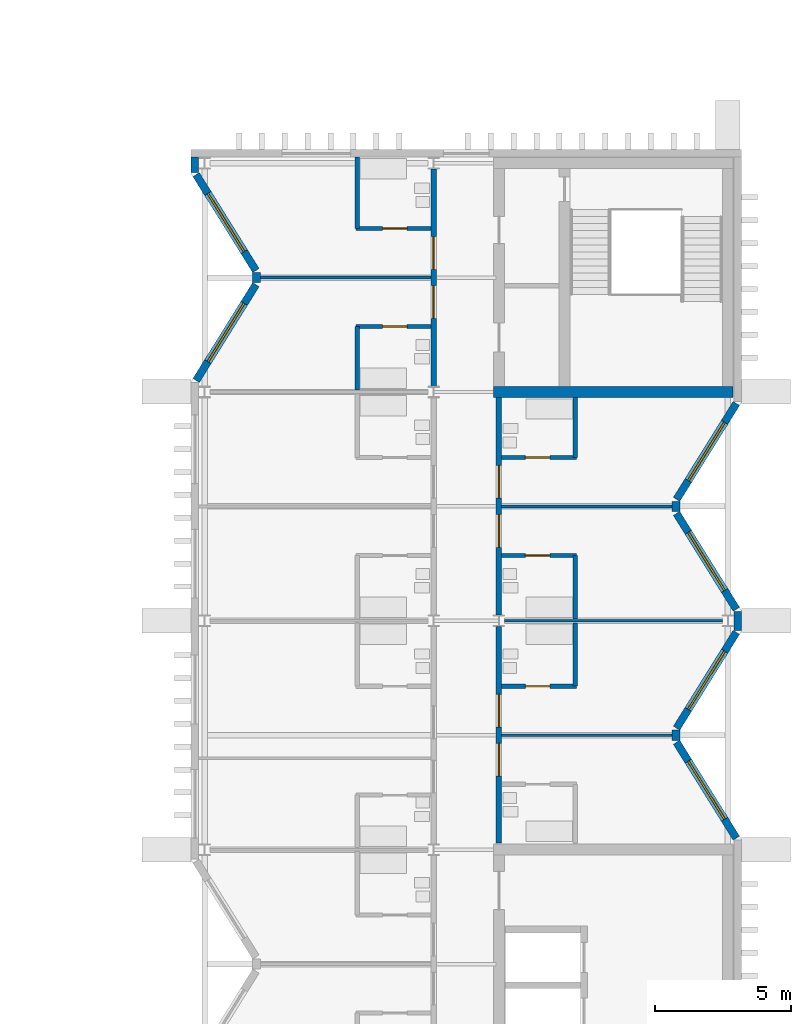
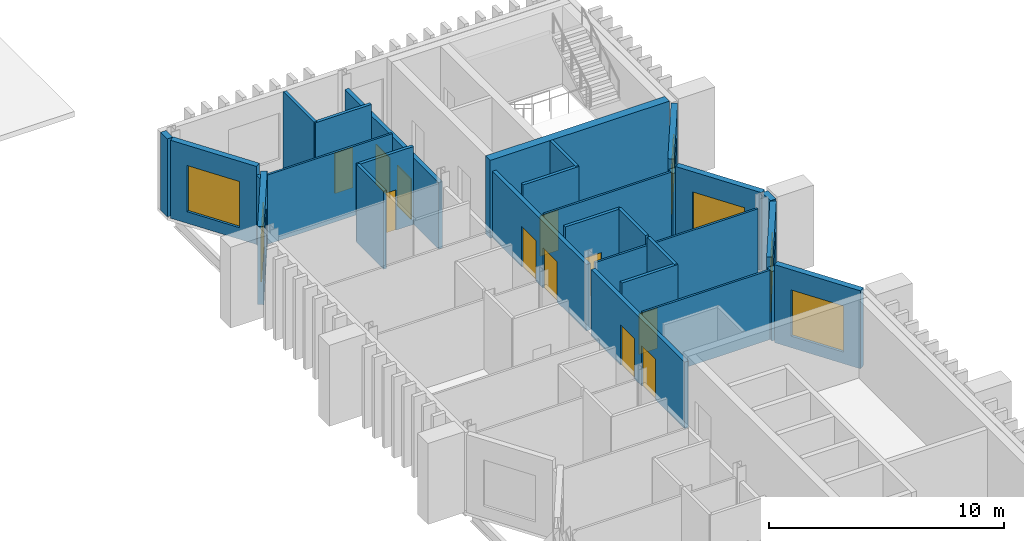
# One storey, part 69 of 88: 29 walls, 11 doors, 6 windows, 17 openings.
"""IFC4 building model written with IfcOpenShell, lengths in metres."""

from ifc_helpers import new_model, si_unit, direction, frame, frame_2d, origin, place, context, subcontext, project, spatial, rectangle, extrude, material, layer, layer_set, type_object, element, fill, save


model = new_model("IFC4")

# Units and contexts
model_context = context("Model", 3, precision=1e-05, world=origin(), true_north=direction((0.0, 1.0)))
body_context = subcontext(model_context, "Body", "Model", "MODEL_VIEW")
ifc_project = project(units=[si_unit("LENGTHUNIT", "METRE"), si_unit("AREAUNIT", "SQUARE_METRE"), si_unit("VOLUMEUNIT", "CUBIC_METRE"), si_unit("PLANEANGLEUNIT", "RADIAN"), si_unit("MASSUNIT", "GRAM", prefix="KILO")], contexts=[model_context])

# Site, building, storey
site_placement = place(None, origin())
site = spatial("IfcSite", under=ifc_project, at=site_placement, CompositionType="ELEMENT")
building_placement = place(site_placement, origin())
building = spatial("IfcBuilding", under=site, at=building_placement, Name="Cresset Court Congress Hotel", CompositionType="ELEMENT")
storey_placement = place(building_placement, frame((0.0, 0.0, 14.39990234375)))
storey = spatial("IfcBuildingStorey", under=building, at=storey_placement, Name="L03", CompositionType="ELEMENT", Elevation=14.39990234375)

# Wall, openings, doors
ifc_material_1 = material(Name="Gypsum board partition")
ifc_layer_1 = layer(ifc_material_1, 0.199951171875)
ifc_layer_set_1 = layer_set([ifc_layer_1], Name="Corridor wall 200")
wall_type_1 = type_object("IfcWallType", Name="Corridor wall 200", PredefinedType="PARTITIONING", material=ifc_layer_set_1)
wall_1_placement = place(storey_placement, frame((165.60009765625, 59.007080078125, 0.0), z_axis=(0.0, 0.0, 1.0), x_axis=(0.0, 1.0, 0.0)))
wall_1 = element("IfcWall", 1, at=wall_1_placement, inside=storey, type_object=wall_type_1, Name="A.wl.L03.068", PredefinedType="PARTITIONING", context=body_context, shape_type="SweptSolid", body=[
    extrude(rectangle(XDim=7.98583984375, YDim=0.199951171875, at=frame_2d((3.992919921875, 0.0))), origin(), (0.0, 0.0, 1.0), 3.4501953125),
])
opening_1_placement = place(wall_1_placement, frame((2.492919921875, 0.0, 0.0)))
opening_1 = element("IfcOpeningElement", 2, at=opening_1_placement, cuts=wall_1, Name="Opening DA-03-24", PredefinedType="OPENING", context=body_context, shape_type="SweptSolid", body=[
    extrude(rectangle(XDim=1.199951171875, YDim=2.10009765625, at=frame_2d((0.60009765625, 1.050048828125))), frame((0.0, 0.10986328125, 0.0), z_axis=(0.0, -1.0, 0.0), x_axis=(1.0, 0.0, 0.0)), (0.0, 0.0, 1.0), 0.219970703125),
])
opening_2_placement = place(wall_1_placement, frame((4.29296875, 0.0, 0.0)))
opening_2 = element("IfcOpeningElement", 3, at=opening_2_placement, cuts=wall_1, Name="Opening DA-03-26", PredefinedType="OPENING", context=body_context, shape_type="SweptSolid", body=[
    extrude(rectangle(XDim=1.199951171875, YDim=2.10009765625, at=frame_2d((0.60009765625, 1.050048828125))), frame((0.0, 0.10986328125, 0.0), z_axis=(0.0, -1.0, 0.0), x_axis=(1.0, 0.0, 0.0)), (0.0, 0.0, 1.0), 0.219970703125),
])
ifc_material_2 = material(Name="timber", Category="wood")
door_type_1 = type_object("IfcDoorType", Name="Guest-room entry door 1200x2100 FD30S", OperationType="SINGLE_SWING_LEFT", PredefinedType="DOOR", material=ifc_material_2)
door_1_placement = place(opening_1_placement, origin())
door_1 = element("IfcDoor", 4, at=door_1_placement, inside=storey, type_object=door_type_1, Name="Door DA-03-24", OperationType="SINGLE_SWING_RIGHT", OverallHeight=2.10009765625, OverallWidth=1.199951171875, PredefinedType="DOOR", context=body_context, shape_type="SweptSolid", body=[
    extrude(rectangle(XDim=1.199951171875, YDim=2.10009765625, at=frame_2d((0.60009765625, 1.050048828125))), frame((0.0, 0.02490234375, 0.0), z_axis=(0.0, -1.0, 0.0), x_axis=(1.0, 0.0, 0.0)), (0.0, 0.0, 1.0), 0.050048828125),
])
fill(opening_1, door_1)
door_2_placement = place(opening_2_placement, origin())
door_2 = element("IfcDoor", 5, at=door_2_placement, inside=storey, type_object=door_type_1, Name="Door DA-03-26", OperationType="SINGLE_SWING_LEFT", OverallHeight=2.10009765625, OverallWidth=1.199951171875, PredefinedType="DOOR", context=body_context, shape_type="SweptSolid", body=[
    extrude(rectangle(XDim=1.199951171875, YDim=2.10009765625, at=frame_2d((0.60009765625, 1.050048828125))), frame((0.0, 0.02490234375, 0.0), z_axis=(0.0, -1.0, 0.0), x_axis=(1.0, 0.0, 0.0)), (0.0, 0.0, 1.0), 0.050048828125),
])
fill(opening_2, door_2)

wall_2_placement = place(storey_placement, frame((168.0, 42.25, 0.0), z_axis=(0.0, 0.0, 1.0), x_axis=(0.0, 1.0, 0.0)))
wall_2 = element("IfcWall", 6, at=wall_2_placement, inside=storey, type_object=wall_type_1, Name="A.wl.L03.071", PredefinedType="PARTITIONING", context=body_context, shape_type="SweptSolid", body=[
    extrude(rectangle(XDim=7.943115234375, YDim=0.199951171875, at=frame_2d((3.9716796875, 0.0))), origin(), (0.0, 0.0, 1.0), 3.4501953125),
])
opening_3_placement = place(wall_2_placement, frame((2.449951171875, 0.0, 0.0)))
opening_3 = element("IfcOpeningElement", 7, at=opening_3_placement, cuts=wall_2, Name="Opening DA-03-36", PredefinedType="OPENING", context=body_context, shape_type="SweptSolid", body=[
    extrude(rectangle(XDim=1.199951171875, YDim=2.10009765625, at=frame_2d((0.60009765625, 1.050048828125))), frame((0.0, 0.10986328125, 0.0), z_axis=(0.0, -1.0, 0.0), x_axis=(1.0, 0.0, 0.0)), (0.0, 0.0, 1.0), 0.219970703125),
])
opening_4_placement = place(wall_2_placement, frame((4.25, 0.0, 0.0)))
opening_4 = element("IfcOpeningElement", 8, at=opening_4_placement, cuts=wall_2, Name="Opening DA-03-38", PredefinedType="OPENING", context=body_context, shape_type="SweptSolid", body=[
    extrude(rectangle(XDim=1.199951171875, YDim=2.10009765625, at=frame_2d((0.60009765625, 1.050048828125))), frame((0.0, 0.10986328125, 0.0), z_axis=(0.0, -1.0, 0.0), x_axis=(1.0, 0.0, 0.0)), (0.0, 0.0, 1.0), 0.219970703125),
])
door_3_placement = place(opening_3_placement, origin())
door_3 = element("IfcDoor", 9, at=door_3_placement, inside=storey, type_object=door_type_1, Name="Door DA-03-36", OperationType="SINGLE_SWING_RIGHT", OverallHeight=2.10009765625, OverallWidth=1.199951171875, PredefinedType="DOOR", context=body_context, shape_type="SweptSolid", body=[
    extrude(rectangle(XDim=1.199951171875, YDim=2.10009765625, at=frame_2d((0.60009765625, 1.050048828125))), frame((0.0, 0.02490234375, 0.0), z_axis=(0.0, -1.0, 0.0), x_axis=(1.0, 0.0, 0.0)), (0.0, 0.0, 1.0), 0.050048828125),
])
fill(opening_3, door_3)
door_4_placement = place(opening_4_placement, origin())
door_4 = element("IfcDoor", 10, at=door_4_placement, inside=storey, type_object=door_type_1, Name="Door DA-03-38", OperationType="SINGLE_SWING_LEFT", OverallHeight=2.10009765625, OverallWidth=1.199951171875, PredefinedType="DOOR", context=body_context, shape_type="SweptSolid", body=[
    extrude(rectangle(XDim=1.199951171875, YDim=2.10009765625, at=frame_2d((0.60009765625, 1.050048828125))), frame((0.0, 0.02490234375, 0.0), z_axis=(0.0, -1.0, 0.0), x_axis=(1.0, 0.0, 0.0)), (0.0, 0.0, 1.0), 0.050048828125),
])
fill(opening_4, door_4)

wall_3_placement = place(storey_placement, frame((168.0, 50.60693359375, 0.0), z_axis=(0.0, 0.0, 1.0), x_axis=(0.0, 1.0, 0.0)))
wall_3 = element("IfcWall", 11, at=wall_3_placement, inside=storey, type_object=wall_type_1, Name="A.wl.L03.072", PredefinedType="PARTITIONING", context=body_context, shape_type="SweptSolid", body=[
    extrude(rectangle(XDim=7.9931640625, YDim=0.199951171875, at=frame_2d((3.99658203125, 0.0))), origin(), (0.0, 0.0, 1.0), 3.4501953125),
])
opening_5_placement = place(wall_3_placement, frame((2.492919921875, 0.0, 0.0)))
opening_5 = element("IfcOpeningElement", 12, at=opening_5_placement, cuts=wall_3, Name="Opening DA-03-40", PredefinedType="OPENING", context=body_context, shape_type="SweptSolid", body=[
    extrude(rectangle(XDim=1.199951171875, YDim=2.10009765625, at=frame_2d((0.60009765625, 1.050048828125))), frame((0.0, 0.10986328125, 0.0), z_axis=(0.0, -1.0, 0.0), x_axis=(1.0, 0.0, 0.0)), (0.0, 0.0, 1.0), 0.219970703125),
])
opening_6_placement = place(wall_3_placement, frame((4.29296875, 0.0, 0.0)))
opening_6 = element("IfcOpeningElement", 13, at=opening_6_placement, cuts=wall_3, Name="Opening DA-03-42", PredefinedType="OPENING", context=body_context, shape_type="SweptSolid", body=[
    extrude(rectangle(XDim=1.199951171875, YDim=2.10009765625, at=frame_2d((0.60009765625, 1.050048828125))), frame((0.0, 0.10986328125, 0.0), z_axis=(0.0, -1.0, 0.0), x_axis=(1.0, 0.0, 0.0)), (0.0, 0.0, 1.0), 0.219970703125),
])
door_5_placement = place(opening_5_placement, origin())
door_5 = element("IfcDoor", 14, at=door_5_placement, inside=storey, type_object=door_type_1, Name="Door DA-03-40", OperationType="SINGLE_SWING_RIGHT", OverallHeight=2.10009765625, OverallWidth=1.199951171875, PredefinedType="DOOR", context=body_context, shape_type="SweptSolid", body=[
    extrude(rectangle(XDim=1.199951171875, YDim=2.10009765625, at=frame_2d((0.60009765625, 1.050048828125))), frame((0.0, 0.02490234375, 0.0), z_axis=(0.0, -1.0, 0.0), x_axis=(1.0, 0.0, 0.0)), (0.0, 0.0, 1.0), 0.050048828125),
])
fill(opening_5, door_5)
door_6_placement = place(opening_6_placement, origin())
door_6 = element("IfcDoor", 15, at=door_6_placement, inside=storey, type_object=door_type_1, Name="Door DA-03-42", OperationType="SINGLE_SWING_LEFT", OverallHeight=2.10009765625, OverallWidth=1.199951171875, PredefinedType="DOOR", context=body_context, shape_type="SweptSolid", body=[
    extrude(rectangle(XDim=1.199951171875, YDim=2.10009765625, at=frame_2d((0.60009765625, 1.050048828125))), frame((0.0, 0.02490234375, 0.0), z_axis=(0.0, -1.0, 0.0), x_axis=(1.0, 0.0, 0.0)), (0.0, 0.0, 1.0), 0.050048828125),
])
fill(opening_6, door_6)

# Wall
ifc_material_3 = material(Name="Gypsum board partition")
ifc_layer_2 = layer(ifc_material_3, 0.14990234375)
ifc_layer_set_2 = layer_set([ifc_layer_2], Name="En-suite wall 150")
wall_type_2 = type_object("IfcWallType", Name="En-suite wall 150", PredefinedType="PARTITIONING", material=ifc_layer_set_2)
wall_4_placement = place(storey_placement, frame((162.800048828125, 58.875, 0.0), z_axis=(0.0, 0.0, 1.0), x_axis=(0.0, 1.0, 0.0)))
element("IfcWall", 16, at=wall_4_placement, inside=storey, type_object=wall_type_2, Name="A.wl.L03.017", PredefinedType="PARTITIONING", context=body_context, shape_type="SweptSolid", body=[
    extrude(rectangle(XDim=2.324951171875, YDim=0.14990234375, at=frame_2d((1.16259765625, 0.0))), origin(), (0.0, 0.0, 1.0), 4.050048828125),
])

# Wall, opening, door
wall_5_placement = place(storey_placement, frame((162.75, 61.199951171875, 0.0), z_axis=(0.0, 0.0, 1.0), x_axis=(1.0, 0.0, 0.0)))
wall_5 = element("IfcWall", 17, at=wall_5_placement, inside=storey, type_object=wall_type_2, Name="A.wl.L03.018", PredefinedType="PARTITIONING", context=body_context, shape_type="SweptSolid", body=[
    extrude(rectangle(XDim=2.75, YDim=0.14990234375, at=frame_2d((1.375, 0.0))), origin(), (0.0, 0.0, 1.0), 4.050048828125),
])
opening_7_placement = place(wall_5_placement, frame((0.97998046875, 0.0, 0.0)))
opening_7 = element("IfcOpeningElement", 18, at=opening_7_placement, cuts=wall_5, Name="Opening DA-03-23", PredefinedType="OPENING", context=body_context, shape_type="SweptSolid", body=[
    extrude(rectangle(XDim=0.89990234375, YDim=2.10009765625, at=frame_2d((0.449951171875, 1.050048828125))), frame((0.0, 0.0849609375, 0.0), z_axis=(0.0, -1.0, 0.0), x_axis=(1.0, 0.0, 0.0)), (0.0, 0.0, 1.0), 0.169921875),
])
ifc_material_4 = material(Name="timber", Category="wood")
door_type_2 = type_object("IfcDoorType", Name="En-suite door 900x2100", OperationType="SINGLE_SWING_LEFT", PredefinedType="DOOR", material=ifc_material_4)
door_7_placement = place(opening_7_placement, origin())
door_7 = element("IfcDoor", 19, at=door_7_placement, inside=storey, type_object=door_type_2, Name="Door DA-03-23", OperationType="SINGLE_SWING_RIGHT", OverallHeight=2.10009765625, OverallWidth=0.89990234375, PredefinedType="DOOR", context=body_context, shape_type="SweptSolid", body=[
    extrude(rectangle(XDim=0.89990234375, YDim=2.10009765625, at=frame_2d((0.449951171875, 1.050048828125))), frame((0.0, 0.02490234375, 0.0), z_axis=(0.0, -1.0, 0.0), x_axis=(1.0, 0.0, 0.0)), (0.0, 0.0, 1.0), 0.050048828125),
])
fill(opening_7, door_7)

# Wall
wall_6_placement = place(storey_placement, frame((162.800048828125, 64.800048828125, 0.0), z_axis=(0.0, 0.0, 1.0), x_axis=(0.0, 1.0, 0.0)))
element("IfcWall", 20, at=wall_6_placement, inside=storey, type_object=wall_type_2, Name="A.wl.L03.019", PredefinedType="PARTITIONING", context=body_context, shape_type="SweptSolid", body=[
    extrude(rectangle(XDim=2.619873046875, YDim=0.14990234375, at=frame_2d((1.31005859375, 0.0))), origin(), (0.0, 0.0, 1.0), 4.050048828125),
])

# Wall, opening, door
wall_7_placement = place(storey_placement, frame((162.75, 64.800048828125, 0.0), z_axis=(0.0, 0.0, 1.0), x_axis=(1.0, 0.0, 0.0)))
wall_7 = element("IfcWall", 21, at=wall_7_placement, inside=storey, type_object=wall_type_2, Name="A.wl.L03.020", PredefinedType="PARTITIONING", context=body_context, shape_type="SweptSolid", body=[
    extrude(rectangle(XDim=2.75, YDim=0.14990234375, at=frame_2d((1.375, 0.0))), origin(), (0.0, 0.0, 1.0), 4.050048828125),
])
opening_8_placement = place(wall_7_placement, frame((0.97998046875, 0.0, 0.0)))
opening_8 = element("IfcOpeningElement", 22, at=opening_8_placement, cuts=wall_7, Name="Opening DA-03-25", PredefinedType="OPENING", context=body_context, shape_type="SweptSolid", body=[
    extrude(rectangle(XDim=0.89990234375, YDim=2.10009765625, at=frame_2d((0.449951171875, 1.050048828125))), frame((0.0, 0.0849609375, 0.0), z_axis=(0.0, -1.0, 0.0), x_axis=(1.0, 0.0, 0.0)), (0.0, 0.0, 1.0), 0.169921875),
])
door_8_placement = place(opening_8_placement, origin())
door_8 = element("IfcDoor", 23, at=door_8_placement, inside=storey, type_object=door_type_2, Name="Door DA-03-25", OperationType="SINGLE_SWING_LEFT", OverallHeight=2.10009765625, OverallWidth=0.89990234375, PredefinedType="DOOR", context=body_context, shape_type="SweptSolid", body=[
    extrude(rectangle(XDim=0.89990234375, YDim=2.10009765625, at=frame_2d((0.449951171875, 1.050048828125))), frame((0.0, 0.02490234375, 0.0), z_axis=(0.0, -1.0, 0.0), x_axis=(1.0, 0.0, 0.0)), (0.0, 0.0, 1.0), 0.050048828125),
])
fill(opening_8, door_8)

# Wall
wall_8_placement = place(storey_placement, frame((170.800048828125, 48.0, 0.0), z_axis=(0.0, 0.0, 1.0), x_axis=(0.0, 1.0, 0.0)))
element("IfcWall", 24, at=wall_8_placement, inside=storey, type_object=wall_type_2, Name="A.wl.L03.031", PredefinedType="PARTITIONING", context=body_context, shape_type="SweptSolid", body=[
    extrude(rectangle(XDim=2.324951171875, YDim=0.14990234375, at=frame_2d((1.16259765625, 0.0))), origin(), (0.0, 0.0, 1.0), 4.050048828125),
])

# Wall, opening, door
wall_9_placement = place(storey_placement, frame((170.85009765625, 48.0, 0.0), z_axis=(0.0, 0.0, 1.0), x_axis=(-1.0, 0.0, 0.0)))
wall_9 = element("IfcWall", 25, at=wall_9_placement, inside=storey, type_object=wall_type_2, Name="A.wl.L03.032", PredefinedType="PARTITIONING", context=body_context, shape_type="SweptSolid", body=[
    extrude(rectangle(XDim=2.75, YDim=0.14990234375, at=frame_2d((1.375, 0.0))), origin(), (0.0, 0.0, 1.0), 4.050048828125),
])
opening_9_placement = place(wall_9_placement, frame((0.97998046875, 0.0, 0.0)))
opening_9 = element("IfcOpeningElement", 26, at=opening_9_placement, cuts=wall_9, Name="Opening DA-03-37", PredefinedType="OPENING", context=body_context, shape_type="SweptSolid", body=[
    extrude(rectangle(XDim=0.89990234375, YDim=2.10009765625, at=frame_2d((0.449951171875, 1.050048828125))), frame((0.0, 0.0849609375, 0.0), z_axis=(0.0, -1.0, 0.0), x_axis=(1.0, 0.0, 0.0)), (0.0, 0.0, 1.0), 0.169921875),
])
door_9_placement = place(opening_9_placement, origin())
door_9 = element("IfcDoor", 27, at=door_9_placement, inside=storey, type_object=door_type_2, Name="Door DA-03-37", OperationType="SINGLE_SWING_LEFT", OverallHeight=2.10009765625, OverallWidth=0.89990234375, PredefinedType="DOOR", context=body_context, shape_type="SweptSolid", body=[
    extrude(rectangle(XDim=0.89990234375, YDim=2.10009765625, at=frame_2d((0.449951171875, 1.050048828125))), frame((0.0, 0.02490234375, 0.0), z_axis=(0.0, -1.0, 0.0), x_axis=(1.0, 0.0, 0.0)), (0.0, 0.0, 1.0), 0.050048828125),
])
fill(opening_9, door_9)

# Wall
wall_10_placement = place(storey_placement, frame((170.800048828125, 50.47509765625, 0.0), z_axis=(0.0, 0.0, 1.0), x_axis=(0.0, 1.0, 0.0)))
element("IfcWall", 28, at=wall_10_placement, inside=storey, type_object=wall_type_2, Name="A.wl.L03.033", PredefinedType="PARTITIONING", context=body_context, shape_type="SweptSolid", body=[
    extrude(rectangle(XDim=2.324951171875, YDim=0.14990234375, at=frame_2d((1.16259765625, 0.0))), origin(), (0.0, 0.0, 1.0), 4.050048828125),
])

# Wall, opening, door
wall_11_placement = place(storey_placement, frame((170.85009765625, 52.800048828125, 0.0), z_axis=(0.0, 0.0, 1.0), x_axis=(-1.0, 0.0, 0.0)))
wall_11 = element("IfcWall", 29, at=wall_11_placement, inside=storey, type_object=wall_type_2, Name="A.wl.L03.034", PredefinedType="PARTITIONING", context=body_context, shape_type="SweptSolid", body=[
    extrude(rectangle(XDim=2.75, YDim=0.14990234375, at=frame_2d((1.375, 0.0))), origin(), (0.0, 0.0, 1.0), 4.050048828125),
])
opening_10_placement = place(wall_11_placement, frame((0.97998046875, 0.0, 0.0)))
opening_10 = element("IfcOpeningElement", 30, at=opening_10_placement, cuts=wall_11, Name="Opening DA-03-39", PredefinedType="OPENING", context=body_context, shape_type="SweptSolid", body=[
    extrude(rectangle(XDim=0.89990234375, YDim=2.10009765625, at=frame_2d((0.449951171875, 1.050048828125))), frame((0.0, 0.0849609375, 0.0), z_axis=(0.0, -1.0, 0.0), x_axis=(1.0, 0.0, 0.0)), (0.0, 0.0, 1.0), 0.169921875),
])
door_10_placement = place(opening_10_placement, origin())
door_10 = element("IfcDoor", 31, at=door_10_placement, inside=storey, type_object=door_type_2, Name="Door DA-03-39", OperationType="SINGLE_SWING_RIGHT", OverallHeight=2.10009765625, OverallWidth=0.89990234375, PredefinedType="DOOR", context=body_context, shape_type="SweptSolid", body=[
    extrude(rectangle(XDim=0.89990234375, YDim=2.10009765625, at=frame_2d((0.449951171875, 1.050048828125))), frame((0.0, 0.02490234375, 0.0), z_axis=(0.0, -1.0, 0.0), x_axis=(1.0, 0.0, 0.0)), (0.0, 0.0, 1.0), 0.050048828125),
])
fill(opening_10, door_10)

# Wall
wall_12_placement = place(storey_placement, frame((170.800048828125, 56.39990234375, 0.0), z_axis=(0.0, 0.0, 1.0), x_axis=(0.0, 1.0, 0.0)))
element("IfcWall", 32, at=wall_12_placement, inside=storey, type_object=wall_type_2, Name="A.wl.L03.035", PredefinedType="PARTITIONING", context=body_context, shape_type="SweptSolid", body=[
    extrude(rectangle(XDim=2.2001953125, YDim=0.14990234375, at=frame_2d((1.10009765625, 0.0))), origin(), (0.0, 0.0, 1.0), 4.050048828125),
])

# Wall, opening, door
wall_13_placement = place(storey_placement, frame((170.85009765625, 56.39990234375, 0.0), z_axis=(0.0, 0.0, 1.0), x_axis=(-1.0, 0.0, 0.0)))
wall_13 = element("IfcWall", 33, at=wall_13_placement, inside=storey, type_object=wall_type_2, Name="A.wl.L03.036", PredefinedType="PARTITIONING", context=body_context, shape_type="SweptSolid", body=[
    extrude(rectangle(XDim=2.75, YDim=0.14990234375, at=frame_2d((1.375, 0.0))), origin(), (0.0, 0.0, 1.0), 4.050048828125),
])
opening_11_placement = place(wall_13_placement, frame((0.97998046875, 0.0, 0.0)))
opening_11 = element("IfcOpeningElement", 34, at=opening_11_placement, cuts=wall_13, Name="Opening DA-03-41", PredefinedType="OPENING", context=body_context, shape_type="SweptSolid", body=[
    extrude(rectangle(XDim=0.89990234375, YDim=2.10009765625, at=frame_2d((0.449951171875, 1.050048828125))), frame((0.0, 0.0849609375, 0.0), z_axis=(0.0, -1.0, 0.0), x_axis=(1.0, 0.0, 0.0)), (0.0, 0.0, 1.0), 0.169921875),
])
door_11_placement = place(opening_11_placement, origin())
door_11 = element("IfcDoor", 35, at=door_11_placement, inside=storey, type_object=door_type_2, Name="Door DA-03-41", OperationType="SINGLE_SWING_LEFT", OverallHeight=2.10009765625, OverallWidth=0.89990234375, PredefinedType="DOOR", context=body_context, shape_type="SweptSolid", body=[
    extrude(rectangle(XDim=0.89990234375, YDim=2.10009765625, at=frame_2d((0.449951171875, 1.050048828125))), frame((0.0, 0.02490234375, 0.0), z_axis=(0.0, -1.0, 0.0), x_axis=(1.0, 0.0, 0.0)), (0.0, 0.0, 1.0), 0.050048828125),
])
fill(opening_11, door_11)

# Wall, opening, window
ifc_material_5 = material(Name="Precast concrete C50", Category="concrete")
ifc_layer_3 = layer(ifc_material_5, 0.280029296875)
ifc_layer_set_3 = layer_set([ifc_layer_3], Name="External wall 280")
wall_type_3 = type_object("IfcWallType", Name="External wall 280", PredefinedType="SOLIDWALL", material=ifc_layer_set_3)
wall_14_placement = place(storey_placement, frame((156.88623046875, 59.22412109375, 0.0), z_axis=(0.0, 0.0, 1.0), x_axis=(0.529018946142, 0.848610013271, 0.0)))
wall_14 = element("IfcWall", 36, at=wall_14_placement, inside=storey, type_object=wall_type_3, Name="A.ew.L03.Wn.7.0", PredefinedType="SOLIDWALL", context=body_context, shape_type="SweptSolid", body=[
    extrude(rectangle(XDim=4.144287109375, YDim=0.280029296875, at=frame_2d((2.072265625, 0.0))), origin(), (0.0, 0.0, 1.0), 4.050048828125),
])
opening_12_placement = place(wall_14_placement, frame((0.812255859375, 0.0, 0.60009765625)))
opening_12 = element("IfcOpeningElement", 37, at=opening_12_placement, cuts=wall_14, Name="Opening NA-03-09", PredefinedType="OPENING", context=body_context, shape_type="SweptSolid", body=[
    extrude(rectangle(XDim=2.52001953125, YDim=2.39990234375, at=frame_2d((1.260009765625, 1.199951171875))), frame((0.0, 0.14990234375, 0.0), z_axis=(0.0, -1.0, 0.0), x_axis=(1.0, 0.0, 0.0)), (0.0, 0.0, 1.0), 0.300048828125),
])
ifc_material_6 = material(Name="Aluminium and glass", Category="aluminium")
window_type = type_object("IfcWindowType", Name="Window 2520x2400", PartitioningType="SINGLE_PANEL", PredefinedType="WINDOW", material=ifc_material_6)
window_1_placement = place(opening_12_placement, origin())
window_1 = element("IfcWindow", 38, at=window_1_placement, inside=storey, type_object=window_type, Name="Window NA-03-09", OverallHeight=2.39990234375, OverallWidth=2.52001953125, PartitioningType="SINGLE_PANEL", PredefinedType="WINDOW", context=body_context, shape_type="SweptSolid", body=[
    extrude(rectangle(XDim=2.52001953125, YDim=2.39990234375, at=frame_2d((1.260009765625, 1.199951171875))), frame((0.0, 0.030029296875, 0.0), z_axis=(0.0, -1.0, 0.0), x_axis=(1.0, 0.0, 0.0)), (0.0, 0.0, 1.0), 0.06005859375),
])
fill(opening_12, window_1)

wall_15_placement = place(storey_placement, frame((159.07861328125, 63.259033203125, 0.0), z_axis=(0.0, 0.0, 1.0), x_axis=(-0.529018946142, 0.848610013271, 0.0)))
wall_15 = element("IfcWall", 39, at=wall_15_placement, inside=storey, type_object=wall_type_3, Name="A.ew.L03.Wn.7.1", PredefinedType="SOLIDWALL", context=body_context, shape_type="SweptSolid", body=[
    extrude(rectangle(XDim=4.144287109375, YDim=0.280029296875, at=frame_2d((2.072265625, 0.0))), origin(), (0.0, 0.0, 1.0), 4.050048828125),
])
opening_13_placement = place(wall_15_placement, frame((0.812255859375, 0.0, 0.60009765625)))
opening_13 = element("IfcOpeningElement", 40, at=opening_13_placement, cuts=wall_15, Name="Opening NA-03-10", PredefinedType="OPENING", context=body_context, shape_type="SweptSolid", body=[
    extrude(rectangle(XDim=2.52001953125, YDim=2.39990234375, at=frame_2d((1.260009765625, 1.199951171875))), frame((0.0, 0.14990234375, 0.0), z_axis=(0.0, -1.0, 0.0), x_axis=(1.0, 0.0, 0.0)), (0.0, 0.0, 1.0), 0.300048828125),
])
window_2_placement = place(opening_13_placement, origin())
window_2 = element("IfcWindow", 41, at=window_2_placement, inside=storey, type_object=window_type, Name="Window NA-03-10", OverallHeight=2.39990234375, OverallWidth=2.52001953125, PartitioningType="SINGLE_PANEL", PredefinedType="WINDOW", context=body_context, shape_type="SweptSolid", body=[
    extrude(rectangle(XDim=2.52001953125, YDim=2.39990234375, at=frame_2d((1.260009765625, 1.199951171875))), frame((0.0, 0.030029296875, 0.0), z_axis=(0.0, -1.0, 0.0), x_axis=(1.0, 0.0, 0.0)), (0.0, 0.0, 1.0), 0.06005859375),
])
fill(opening_13, window_2)

# Walls
wall_16_placement = place(storey_placement, frame((159.099609375, 62.815185546875, 0.0), z_axis=(0.0, 0.0, 1.0), x_axis=(0.0, 1.0, 0.0)))
element("IfcWall", 42, at=wall_16_placement, inside=storey, type_object=wall_type_3, Name="A.ew.L03.Wn.7.2", PredefinedType="SOLIDWALL", context=body_context, shape_type="SweptSolid", body=[
    extrude(rectangle(XDim=0.36962890625, YDim=0.280029296875, at=frame_2d((0.184814453125, 0.0))), origin(), (0.0, 0.0, 1.0), 3.60400390625),
])
wall_17_placement = place(storey_placement, frame((156.840087890625, 66.85009765625, 0.0), z_axis=(0.0, 0.0, 1.0), x_axis=(0.0, 1.0, 0.0)))
element("IfcWall", 43, at=wall_17_placement, inside=storey, type_object=wall_type_3, Name="A.ew.L03.W.4", PredefinedType="SOLIDWALL", context=body_context, shape_type="SweptSolid", body=[
    extrude(rectangle(XDim=0.56982421875, YDim=0.280029296875, at=frame_2d((0.284912109375, 0.0))), origin(), (0.0, 0.0, 1.0), 4.050048828125),
])

# Wall, opening, window
wall_18_placement = place(storey_placement, frame((176.7138671875, 42.424072265625, 0.0), z_axis=(0.0, 0.0, 1.0), x_axis=(-0.529018946142, 0.848610013271, 0.0)))
wall_18 = element("IfcWall", 44, at=wall_18_placement, inside=storey, type_object=wall_type_3, Name="A.ew.L03.En.5.0", PredefinedType="SOLIDWALL", context=body_context, shape_type="SweptSolid", body=[
    extrude(rectangle(XDim=4.144287109375, YDim=0.280029296875, at=frame_2d((2.072265625, 0.0))), origin(), (0.0, 0.0, 1.0), 4.050048828125),
])
opening_14_placement = place(wall_18_placement, frame((0.81201171875, 0.0, 0.60009765625)))
opening_14 = element("IfcOpeningElement", 45, at=opening_14_placement, cuts=wall_18, Name="Opening NA-03-15", PredefinedType="OPENING", context=body_context, shape_type="SweptSolid", body=[
    extrude(rectangle(XDim=2.52001953125, YDim=2.39990234375, at=frame_2d((1.260009765625, 1.199951171875))), frame((0.0, 0.14990234375, 0.0), z_axis=(0.0, -1.0, 0.0), x_axis=(1.0, 0.0, 0.0)), (0.0, 0.0, 1.0), 0.300048828125),
])
window_3_placement = place(opening_14_placement, origin())
window_3 = element("IfcWindow", 46, at=window_3_placement, inside=storey, type_object=window_type, Name="Window NA-03-15", OverallHeight=2.39990234375, OverallWidth=2.52001953125, PartitioningType="SINGLE_PANEL", PredefinedType="WINDOW", context=body_context, shape_type="SweptSolid", body=[
    extrude(rectangle(XDim=2.52001953125, YDim=2.39990234375, at=frame_2d((1.260009765625, 1.199951171875))), frame((0.0, 0.030029296875, 0.0), z_axis=(0.0, -1.0, 0.0), x_axis=(1.0, 0.0, 0.0)), (0.0, 0.0, 1.0), 0.06005859375),
])
fill(opening_14, window_3)

wall_19_placement = place(storey_placement, frame((174.521484375, 46.458984375, 0.0), z_axis=(0.0, 0.0, 1.0), x_axis=(0.529018946142, 0.848610013271, 0.0)))
wall_19 = element("IfcWall", 47, at=wall_19_placement, inside=storey, type_object=wall_type_3, Name="A.ew.L03.En.5.1", PredefinedType="SOLIDWALL", context=body_context, shape_type="SweptSolid", body=[
    extrude(rectangle(XDim=4.144287109375, YDim=0.280029296875, at=frame_2d((2.072265625, 0.0))), origin(), (0.0, 0.0, 1.0), 4.050048828125),
])
opening_15_placement = place(wall_19_placement, frame((0.81201171875, 0.0, 0.60009765625)))
opening_15 = element("IfcOpeningElement", 48, at=opening_15_placement, cuts=wall_19, Name="Opening NA-03-16", PredefinedType="OPENING", context=body_context, shape_type="SweptSolid", body=[
    extrude(rectangle(XDim=2.52001953125, YDim=2.39990234375, at=frame_2d((1.260009765625, 1.199951171875))), frame((0.0, 0.14990234375, 0.0), z_axis=(0.0, -1.0, 0.0), x_axis=(1.0, 0.0, 0.0)), (0.0, 0.0, 1.0), 0.300048828125),
])
window_4_placement = place(opening_15_placement, origin())
window_4 = element("IfcWindow", 49, at=window_4_placement, inside=storey, type_object=window_type, Name="Window NA-03-16", OverallHeight=2.39990234375, OverallWidth=2.52001953125, PartitioningType="SINGLE_PANEL", PredefinedType="WINDOW", context=body_context, shape_type="SweptSolid", body=[
    extrude(rectangle(XDim=2.52001953125, YDim=2.39990234375, at=frame_2d((1.260009765625, 1.199951171875))), frame((0.0, 0.030029296875, 0.0), z_axis=(0.0, -1.0, 0.0), x_axis=(1.0, 0.0, 0.0)), (0.0, 0.0, 1.0), 0.06005859375),
])
fill(opening_15, window_4)

# Walls
wall_20_placement = place(storey_placement, frame((174.500244140625, 46.01513671875, 0.0), z_axis=(0.0, 0.0, 1.0), x_axis=(0.0, 1.0, 0.0)))
element("IfcWall", 50, at=wall_20_placement, inside=storey, type_object=wall_type_3, Name="A.ew.L03.En.5.2", PredefinedType="SOLIDWALL", context=body_context, shape_type="SweptSolid", body=[
    extrude(rectangle(XDim=0.369873046875, YDim=0.280029296875, at=frame_2d((0.18505859375, 0.0))), origin(), (0.0, 0.0, 1.0), 3.60400390625),
])
wall_21_placement = place(storey_placement, frame((176.760009765625, 50.050048828125, 0.0), z_axis=(0.0, 0.0, 1.0), x_axis=(0.0, 1.0, 0.0)))
element("IfcWall", 51, at=wall_21_placement, inside=storey, type_object=wall_type_3, Name="A.ew.L03.E.2", PredefinedType="SOLIDWALL", context=body_context, shape_type="SweptSolid", body=[
    extrude(rectangle(XDim=0.699951171875, YDim=0.280029296875, at=frame_2d((0.35009765625, 0.0))), origin(), (0.0, 0.0, 1.0), 4.050048828125),
])

# Wall, opening, window
wall_22_placement = place(storey_placement, frame((176.7138671875, 50.82421875, 0.0), z_axis=(0.0, 0.0, 1.0), x_axis=(-0.529018946142, 0.848610013271, 0.0)))
wall_22 = element("IfcWall", 52, at=wall_22_placement, inside=storey, type_object=wall_type_3, Name="A.ew.L03.En.6.0", PredefinedType="SOLIDWALL", context=body_context, shape_type="SweptSolid", body=[
    extrude(rectangle(XDim=4.144287109375, YDim=0.280029296875, at=frame_2d((2.072265625, 0.0))), origin(), (0.0, 0.0, 1.0), 4.050048828125),
])
opening_16_placement = place(wall_22_placement, frame((0.81201171875, 0.0, 0.60009765625)))
opening_16 = element("IfcOpeningElement", 53, at=opening_16_placement, cuts=wall_22, Name="Opening NA-03-17", PredefinedType="OPENING", context=body_context, shape_type="SweptSolid", body=[
    extrude(rectangle(XDim=2.52001953125, YDim=2.39990234375, at=frame_2d((1.260009765625, 1.199951171875))), frame((0.0, 0.14990234375, 0.0), z_axis=(0.0, -1.0, 0.0), x_axis=(1.0, 0.0, 0.0)), (0.0, 0.0, 1.0), 0.300048828125),
])
window_5_placement = place(opening_16_placement, origin())
window_5 = element("IfcWindow", 54, at=window_5_placement, inside=storey, type_object=window_type, Name="Window NA-03-17", OverallHeight=2.39990234375, OverallWidth=2.52001953125, PartitioningType="SINGLE_PANEL", PredefinedType="WINDOW", context=body_context, shape_type="SweptSolid", body=[
    extrude(rectangle(XDim=2.52001953125, YDim=2.39990234375, at=frame_2d((1.260009765625, 1.199951171875))), frame((0.0, 0.030029296875, 0.0), z_axis=(0.0, -1.0, 0.0), x_axis=(1.0, 0.0, 0.0)), (0.0, 0.0, 1.0), 0.06005859375),
])
fill(opening_16, window_5)

wall_23_placement = place(storey_placement, frame((174.521484375, 54.85888671875, 0.0), z_axis=(0.0, 0.0, 1.0), x_axis=(0.528992500338, 0.848626498871, 0.0)))
wall_23 = element("IfcWall", 55, at=wall_23_placement, inside=storey, type_object=wall_type_3, Name="A.ew.L03.En.6.1", PredefinedType="SOLIDWALL", context=body_context, shape_type="SweptSolid", body=[
    extrude(rectangle(XDim=4.14453125, YDim=0.280029296875, at=frame_2d((2.072265625, 0.0))), origin(), (0.0, 0.0, 1.0), 4.050048828125),
])
opening_17_placement = place(wall_23_placement, frame((0.81201171875, 0.0, 0.60009765625)))
opening_17 = element("IfcOpeningElement", 56, at=opening_17_placement, cuts=wall_23, Name="Opening NA-03-18", PredefinedType="OPENING", context=body_context, shape_type="SweptSolid", body=[
    extrude(rectangle(XDim=2.52001953125, YDim=2.39990234375, at=frame_2d((1.260009765625, 1.199951171875))), frame((0.0, 0.14990234375, 0.0), z_axis=(0.0, -1.0, 0.0), x_axis=(1.0, 0.0, 0.0)), (0.0, 0.0, 1.0), 0.300048828125),
])
window_6_placement = place(opening_17_placement, origin())
window_6 = element("IfcWindow", 57, at=window_6_placement, inside=storey, type_object=window_type, Name="Window NA-03-18", OverallHeight=2.39990234375, OverallWidth=2.52001953125, PartitioningType="SINGLE_PANEL", PredefinedType="WINDOW", context=body_context, shape_type="SweptSolid", body=[
    extrude(rectangle(XDim=2.52001953125, YDim=2.39990234375, at=frame_2d((1.260009765625, 1.199951171875))), frame((0.0, 0.030029296875, 0.0), z_axis=(0.0, -1.0, 0.0), x_axis=(1.0, 0.0, 0.0)), (0.0, 0.0, 1.0), 0.06005859375),
])
fill(opening_17, window_6)

# Walls
wall_24_placement = place(storey_placement, frame((174.500244140625, 54.4150390625, 0.0), z_axis=(0.0, 0.0, 1.0), x_axis=(0.0, 1.0, 0.0)))
element("IfcWall", 58, at=wall_24_placement, inside=storey, type_object=wall_type_3, Name="A.ew.L03.En.6.2", PredefinedType="SOLIDWALL", context=body_context, shape_type="SweptSolid", body=[
    extrude(rectangle(XDim=0.369873046875, YDim=0.280029296875, at=frame_2d((0.18505859375, 0.0))), origin(), (0.0, 0.0, 1.0), 3.60400390625),
])
ifc_material_7 = material(Name="Gypsum board partition")
ifc_layer_4 = layer(ifc_material_7, 0.10009765625)
ifc_layer_set_4 = layer_set([ifc_layer_4], Name="Guest-room partition 100")
wall_type_4 = type_object("IfcWallType", Name="Guest-room partition 100", PredefinedType="PARTITIONING", material=ifc_layer_set_4)
wall_25_placement = place(storey_placement, frame((168.202392578125, 50.39990234375, 0.0), z_axis=(0.0, 0.0, 1.0), x_axis=(1.0, 0.0, 0.0)))
element("IfcWall", 59, at=wall_25_placement, inside=storey, type_object=wall_type_4, Name="A.wl.L03.045", PredefinedType="PARTITIONING", context=body_context, shape_type="SweptSolid", body=[
    extrude(rectangle(XDim=7.9951171875, YDim=0.10009765625, at=frame_2d((3.99755859375, 0.0))), origin(), (0.0, 0.0, 1.0), 3.60400390625),
])
for number, where, z_axis, x_axis, name in (
    (60, (159.23974609375, 63.0, 0.0), (0.0, 0.0, 1.0), (1.0, 0.0, 0.0), "A.wl.L03.053"),
    (61, (168.10009765625, 46.199951171875, 0.0), (0.0, 0.0, 1.0), (1.0, 0.0, 0.0), "A.wl.L03.056"),
    (62, (168.10009765625, 54.60009765625, 0.0), (0.0, 0.0, 1.0), (1.0, 0.0, 0.0), "A.wl.L03.057"),
):
    element("IfcWall", number, at=place(storey_placement, frame(where, z_axis=z_axis, x_axis=x_axis)), inside=storey, type_object=wall_type_4, Name=name, PredefinedType="PARTITIONING", context=body_context, shape_type="SweptSolid", body=[
        extrude(rectangle(XDim=6.26025390625, YDim=0.10009765625, at=frame_2d((3.130126953125, 0.0))), origin(), (0.0, 0.0, 1.0), 3.60400390625),
    ])
ifc_material_8 = material(Name="Concrete C50", Category="concrete")
ifc_layer_5 = layer(ifc_material_8, 0.39990234375)
ifc_layer_set_5 = layer_set([ifc_layer_5], Name="Stair core wall 400")
wall_type_5 = type_object("IfcWallType", Name="Stair core wall 400", PredefinedType="SOLIDWALL", material=ifc_layer_set_5)
wall_26_placement = place(storey_placement, frame((167.800048828125, 58.800048828125, 0.0), z_axis=(0.0, 0.0, 1.0), x_axis=(1.0, 0.0, 0.0)))
element("IfcWall", 63, at=wall_26_placement, inside=storey, type_object=wall_type_5, Name="A.cw.ST-A2.L03.S", PredefinedType="SOLIDWALL", context=body_context, shape_type="SweptSolid", body=[
    extrude(rectangle(XDim=8.800048828125, YDim=0.39990234375, at=frame_2d((4.39990234375, 0.0))), origin(), (0.0, 0.0, 1.0), 4.050048828125),
])

save(model, "model.ifc")
